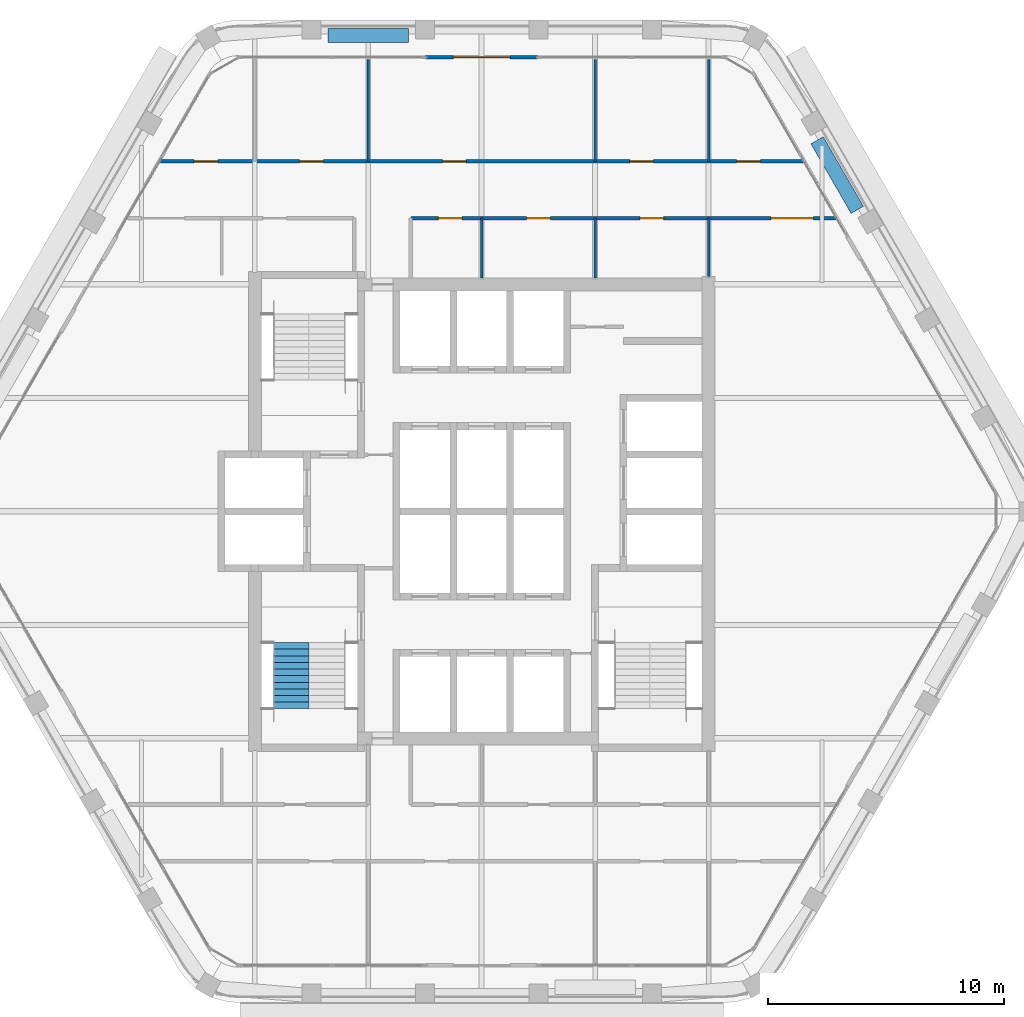
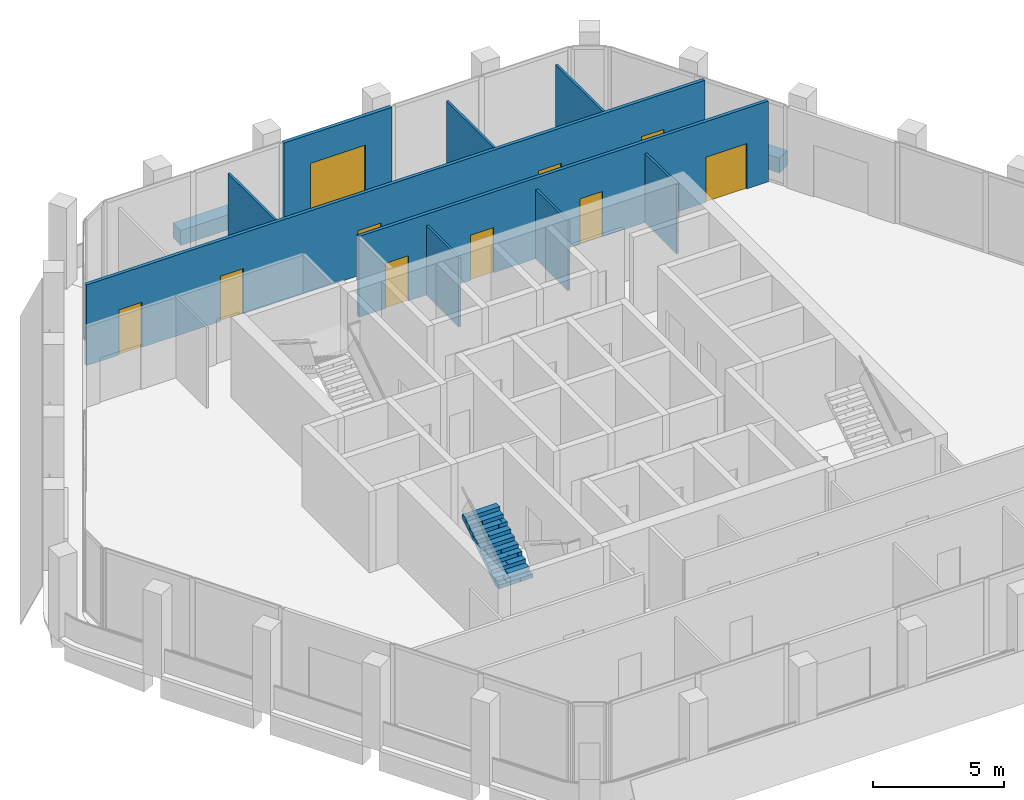
# One storey, part 10 of 14: 11 walls, 10 doors, 1 stair flight, 10 openings, 1 element without a shape of its own.
"""IFC4 building model written with IfcOpenShell, lengths in metres."""

from ifc_helpers import new_model, si_unit, direction, frame, frame_2d, origin, place, context, subcontext, project, spatial, polyline, rectangle, outline, extrude, material, layer, layer_set, type_object, element, fill, aggregate, save


model = new_model("IFC4")

# Units and contexts
model_context = context("Model", 3, precision=1e-05, world=origin(), true_north=direction((0.0, 1.0)))
body_context = subcontext(model_context, "Body", "Model", "MODEL_VIEW")
ifc_project = project(units=[si_unit("LENGTHUNIT", "METRE"), si_unit("AREAUNIT", "SQUARE_METRE"), si_unit("VOLUMEUNIT", "CUBIC_METRE"), si_unit("PLANEANGLEUNIT", "RADIAN"), si_unit("MASSUNIT", "GRAM", prefix="KILO")], contexts=[model_context])

# Site, building, storey
site_placement = place(None, origin())
site = spatial("IfcSite", under=ifc_project, at=site_placement, CompositionType="ELEMENT")
building_placement = place(site_placement, origin())
building = spatial("IfcBuilding", under=site, at=building_placement, Name="Kolab Exchange Tower", CompositionType="ELEMENT")
storey_placement = place(building_placement, frame((0.0, 0.0, 246.199951171875)))
storey = spatial("IfcBuildingStorey", under=building, at=storey_placement, Name="L54", CompositionType="ELEMENT", Elevation=246.199951171875)

# Wall, opening, door
ifc_material_1 = material(Name="Aluminium EN AW-6063 T6", Category="aluminium")
ifc_layer_1 = layer(ifc_material_1, 0.159912109375)
ifc_layer_set_1 = layer_set([ifc_layer_1], Name="Aluminium EN AW-6063 T6")
wall_type_1 = type_object("IfcWallType", Name="DOOR SURROUND WALL 160 ALUMINIUM FRAMED", PredefinedType="PARTITIONING", material=ifc_layer_set_1)
wall_1_placement = place(storey_placement, frame((-2.3701171875, 19.20458984375, 0.0), z_axis=(0.0, 0.0, 1.0), x_axis=(1.0, 0.0, 0.0)))
wall_1 = element("IfcWall", 1, at=wall_1_placement, inside=storey, type_object=wall_type_1, Name="Door surround wall", PredefinedType="PARTITIONING", context=body_context, shape_type="SweptSolid", body=[
    extrude(rectangle(XDim=4.740234375, YDim=0.159912109375, at=frame_2d((2.3701171875, 0.0))), origin(), (0.0, 0.0, 1.0), 3.75),
])
opening_1_placement = place(wall_1_placement, frame((1.169921875, 0.0, 0.0)))
opening_1 = element("IfcOpeningElement", 2, at=opening_1_placement, cuts=wall_1, Name="Opening GD1-089", PredefinedType="OPENING", context=body_context, shape_type="SweptSolid", body=[
    extrude(rectangle(XDim=2.39990234375, YDim=2.39990234375, at=frame_2d((1.199951171875, 1.199951171875))), frame((0.0, 0.08984375, 0.0), z_axis=(0.0, -1.0, 0.0), x_axis=(1.0, 0.0, 0.0)), (0.0, 0.0, 1.0), 0.179931640625),
])
door_type_1 = type_object("IfcDoorType", Name="LOGGIA SLIDING GLASS DOOR 2400 X 2400", OperationType="DOUBLE_DOOR_SINGLE_SWING", PredefinedType="DOOR", material=ifc_material_1)
door_1_placement = place(opening_1_placement, origin())
door_1 = element("IfcDoor", 3, at=door_1_placement, inside=storey, type_object=door_type_1, Name="Loggia door", OperationType="DOUBLE_DOOR_SLIDING", OverallHeight=2.39990234375, OverallWidth=2.39990234375, PredefinedType="DOOR", context=body_context, shape_type="SweptSolid", body=[
    extrude(rectangle(XDim=2.39990234375, YDim=2.39990234375, at=frame_2d((1.199951171875, 1.199951171875))), frame((0.0, 0.02490234375, 0.0), z_axis=(0.0, -1.0, 0.0), x_axis=(1.0, 0.0, 0.0)), (0.0, 0.0, 1.0), 0.050048828125),
])
fill(opening_1, door_1)

# Walls
ifc_material_2 = material(Name="Gypsum board", Category="gypsum")
ifc_layer_2 = layer(ifc_material_2, 0.10009765625)
ifc_layer_set_2 = layer_set([ifc_layer_2], Name="Gypsum board")
wall_type_2 = type_object("IfcWallType", Name="PARTITION 100", PredefinedType="PARTITIONING", material=ifc_layer_set_2)
wall_2_placement = place(storey_placement, frame((9.60009765625, 9.925048828125, 0.0), z_axis=(0.0, 0.0, 1.0), x_axis=(0.0, 1.0, 0.0)))
element("IfcWall", 4, at=wall_2_placement, inside=storey, type_object=wall_type_2, Name="Partition 002", PredefinedType="PARTITIONING", context=body_context, shape_type="SweptSolid", body=[
    extrude(rectangle(XDim=2.474853515625, YDim=0.10009765625, at=frame_2d((1.2373046875, 0.0))), origin(), (0.0, 0.0, 1.0), 3.217041015625),
])
wall_3_placement = place(storey_placement, frame((9.60009765625, 14.800048828125, 0.0), z_axis=(0.0, 0.0, 1.0), x_axis=(0.0, 1.0, 0.0)))
element("IfcWall", 5, at=wall_3_placement, inside=storey, type_object=wall_type_2, Name="Partition 003", PredefinedType="PARTITIONING", context=body_context, shape_type="SweptSolid", body=[
    extrude(rectangle(XDim=4.314453125, YDim=0.10009765625, at=frame_2d((2.1572265625, 0.0))), origin(), (0.0, 0.0, 1.0), 3.217041015625),
])
wall_4_placement = place(storey_placement, frame((4.800048828125, 9.875, 0.0), z_axis=(0.0, 0.0, 1.0), x_axis=(0.0, 1.0, 0.0)))
element("IfcWall", 6, at=wall_4_placement, inside=storey, type_object=wall_type_2, Name="Partition 006", PredefinedType="PARTITIONING", context=body_context, shape_type="SweptSolid", body=[
    extrude(rectangle(XDim=2.52490234375, YDim=0.10009765625, at=frame_2d((1.262451171875, 0.0))), origin(), (0.0, 0.0, 1.0), 3.217041015625),
])
wall_5_placement = place(storey_placement, frame((4.800048828125, 14.800048828125, 0.0), z_axis=(0.0, 0.0, 1.0), x_axis=(0.0, 1.0, 0.0)))
element("IfcWall", 7, at=wall_5_placement, inside=storey, type_object=wall_type_2, Name="Partition 007", PredefinedType="PARTITIONING", context=body_context, shape_type="SweptSolid", body=[
    extrude(rectangle(XDim=4.314453125, YDim=0.10009765625, at=frame_2d((2.1572265625, 0.0))), origin(), (0.0, 0.0, 1.0), 3.217041015625),
])
wall_6_placement = place(storey_placement, frame((0.0, 9.875, 0.0), z_axis=(0.0, 0.0, 1.0), x_axis=(0.0, 1.0, 0.0)))
element("IfcWall", 8, at=wall_6_placement, inside=storey, type_object=wall_type_2, Name="Partition 009", PredefinedType="PARTITIONING", context=body_context, shape_type="SweptSolid", body=[
    extrude(rectangle(XDim=2.52490234375, YDim=0.10009765625, at=frame_2d((1.262451171875, 0.0))), origin(), (0.0, 0.0, 1.0), 3.217041015625),
])
wall_7_placement = place(storey_placement, frame((-4.800048828125, 14.800048828125, 0.0), z_axis=(0.0, 0.0, 1.0), x_axis=(0.0, 1.0, 0.0)))
element("IfcWall", 9, at=wall_7_placement, inside=storey, type_object=wall_type_2, Name="Partition 013", PredefinedType="PARTITIONING", context=body_context, shape_type="SweptSolid", body=[
    extrude(rectangle(XDim=4.314453125, YDim=0.10009765625, at=frame_2d((2.1572265625, 0.0))), origin(), (0.0, 0.0, 1.0), 3.217041015625),
])

# Wall, openings, doors
ifc_layer_3 = layer(ifc_material_2, 0.14990234375)
ifc_layer_set_3 = layer_set([ifc_layer_3], Name="Gypsum board")
wall_type_3 = type_object("IfcWallType", Name="PARTITION 150 FIRE-RATED", PredefinedType="PARTITIONING", material=ifc_layer_set_3)
wall_8_placement = place(storey_placement, frame((-3.0, 12.39990234375, 0.0), z_axis=(0.0, 0.0, 1.0), x_axis=(1.0, 0.0, 0.0)))
wall_8 = element("IfcWall", 10, at=wall_8_placement, inside=storey, type_object=wall_type_3, Name="Partition 025", PredefinedType="PARTITIONING", context=body_context, shape_type="SweptSolid", body=[
    extrude(rectangle(XDim=17.97021484375, YDim=0.14990234375, at=frame_2d((8.985107421875, 0.0))), origin(), (0.0, 0.0, 1.0), 3.75),
])
opening_2_placement = place(wall_8_placement, frame((1.1650390625, 0.0, 0.0)))
opening_2 = element("IfcOpeningElement", 11, at=opening_2_placement, cuts=wall_8, Name="Opening D1-671", PredefinedType="OPENING", context=body_context, shape_type="SweptSolid", body=[
    extrude(rectangle(XDim=1.0, YDim=2.10009765625, at=frame_2d((0.5, 1.050048828125))), frame((0.0, 0.0849609375, 0.0), z_axis=(0.0, -1.0, 0.0), x_axis=(1.0, 0.0, 0.0)), (0.0, 0.0, 1.0), 0.169921875),
])
opening_3_placement = place(wall_8_placement, frame((4.89990234375, 0.0, 0.0)))
opening_3 = element("IfcOpeningElement", 12, at=opening_3_placement, cuts=wall_8, Name="Opening D1-672", PredefinedType="OPENING", context=body_context, shape_type="SweptSolid", body=[
    extrude(rectangle(XDim=1.0, YDim=2.10009765625, at=frame_2d((0.5, 1.050048828125))), frame((0.0, 0.0849609375, 0.0), z_axis=(0.0, -1.0, 0.0), x_axis=(1.0, 0.0, 0.0)), (0.0, 0.0, 1.0), 0.169921875),
])
opening_4_placement = place(wall_8_placement, frame((9.699951171875, 0.0, 0.0)))
opening_4 = element("IfcOpeningElement", 13, at=opening_4_placement, cuts=wall_8, Name="Opening D1-673", PredefinedType="OPENING", context=body_context, shape_type="SweptSolid", body=[
    extrude(rectangle(XDim=1.0, YDim=2.10009765625, at=frame_2d((0.5, 1.050048828125))), frame((0.0, 0.0849609375, 0.0), z_axis=(0.0, -1.0, 0.0), x_axis=(1.0, 0.0, 0.0)), (0.0, 0.0, 1.0), 0.169921875),
])
opening_5_placement = place(wall_8_placement, frame((15.231689453125, 0.0, 0.0)))
opening_5 = element("IfcOpeningElement", 14, at=opening_5_placement, cuts=wall_8, Name="Opening D2-069", PredefinedType="OPENING", context=body_context, shape_type="SweptSolid", body=[
    extrude(rectangle(XDim=1.800048828125, YDim=2.10009765625, at=frame_2d((0.89990234375, 1.050048828125))), frame((0.0, 0.0849609375, 0.0), z_axis=(0.0, -1.0, 0.0), x_axis=(1.0, 0.0, 0.0)), (0.0, 0.0, 1.0), 0.169921875),
])
ifc_material_3 = material(Name="Steel S235", Category="steel")
door_type_2 = type_object("IfcDoorType", Name="DOUBLE DOOR 1800 FD60", OperationType="DOUBLE_DOOR_SINGLE_SWING", PredefinedType="DOOR", material=ifc_material_3)
door_2_placement = place(opening_5_placement, frame((1.800048828125, 0.0, 0.0), z_axis=(0.0, 0.0, 1.0), x_axis=(-1.0, 0.0, 0.0)))
door_2 = element("IfcDoor", 15, at=door_2_placement, inside=storey, type_object=door_type_2, Name="Door L54-048", OperationType="SINGLE_SWING_RIGHT", OverallHeight=2.10009765625, OverallWidth=1.800048828125, PredefinedType="DOOR", context=body_context, shape_type="SweptSolid", body=[
    extrude(rectangle(XDim=1.800048828125, YDim=2.10009765625, at=frame_2d((0.89990234375, 1.050048828125))), frame((0.0, 0.02490234375, 0.0), z_axis=(0.0, -1.0, 0.0), x_axis=(1.0, 0.0, 0.0)), (0.0, 0.0, 1.0), 0.050048828125),
])
fill(opening_5, door_2)
door_type_3 = type_object("IfcDoorType", Name="FLUSH DOOR 1000 FD60", OperationType="SINGLE_SWING_LEFT", PredefinedType="DOOR", material=ifc_material_3)
door_3_placement = place(opening_2_placement, frame((1.0, 0.0, 0.0), z_axis=(0.0, 0.0, 1.0), x_axis=(-1.0, 0.0, 0.0)))
door_3 = element("IfcDoor", 16, at=door_3_placement, inside=storey, type_object=door_type_3, Name="Door L54-031", OperationType="SINGLE_SWING_RIGHT", OverallHeight=2.10009765625, OverallWidth=1.0, PredefinedType="DOOR", context=body_context, shape_type="SweptSolid", body=[
    extrude(rectangle(XDim=1.0, YDim=2.10009765625, at=frame_2d((0.5, 1.050048828125))), frame((0.0, 0.02490234375, 0.0), z_axis=(0.0, -1.0, 0.0), x_axis=(1.0, 0.0, 0.0)), (0.0, 0.0, 1.0), 0.050048828125),
])
fill(opening_2, door_3)
door_4_placement = place(opening_3_placement, frame((1.0, 0.0, 0.0), z_axis=(0.0, 0.0, 1.0), x_axis=(-1.0, 0.0, 0.0)))
door_4 = element("IfcDoor", 17, at=door_4_placement, inside=storey, type_object=door_type_3, Name="Door L54-032", OperationType="SINGLE_SWING_RIGHT", OverallHeight=2.10009765625, OverallWidth=1.0, PredefinedType="DOOR", context=body_context, shape_type="SweptSolid", body=[
    extrude(rectangle(XDim=1.0, YDim=2.10009765625, at=frame_2d((0.5, 1.050048828125))), frame((0.0, 0.02490234375, 0.0), z_axis=(0.0, -1.0, 0.0), x_axis=(1.0, 0.0, 0.0)), (0.0, 0.0, 1.0), 0.050048828125),
])
fill(opening_3, door_4)
door_5_placement = place(opening_4_placement, frame((1.0, 0.0, 0.0), z_axis=(0.0, 0.0, 1.0), x_axis=(-1.0, 0.0, 0.0)))
door_5 = element("IfcDoor", 18, at=door_5_placement, inside=storey, type_object=door_type_3, Name="Door L54-033", OperationType="SINGLE_SWING_LEFT", OverallHeight=2.10009765625, OverallWidth=1.0, PredefinedType="DOOR", context=body_context, shape_type="SweptSolid", body=[
    extrude(rectangle(XDim=1.0, YDim=2.10009765625, at=frame_2d((0.5, 1.050048828125))), frame((0.0, 0.02490234375, 0.0), z_axis=(0.0, -1.0, 0.0), x_axis=(1.0, 0.0, 0.0)), (0.0, 0.0, 1.0), 0.050048828125),
])
fill(opening_4, door_5)

wall_9_placement = place(storey_placement, frame((-13.584716796875, 14.800048828125, 0.0), z_axis=(0.0, 0.0, 1.0), x_axis=(1.0, 0.0, 0.0)))
wall_9 = element("IfcWall", 19, at=wall_9_placement, inside=storey, type_object=wall_type_3, Name="Partition 026", PredefinedType="PARTITIONING", context=body_context, shape_type="SweptSolid", body=[
    extrude(rectangle(XDim=27.16943359375, YDim=0.14990234375, at=frame_2d((13.584716796875, 0.0))), origin(), (0.0, 0.0, 1.0), 3.75),
])
opening_6_placement = place(wall_9_placement, frame((1.423095703125, 0.0, 0.0)))
opening_6 = element("IfcOpeningElement", 20, at=opening_6_placement, cuts=wall_9, Name="Opening D1-677", PredefinedType="OPENING", context=body_context, shape_type="SweptSolid", body=[
    extrude(rectangle(XDim=1.0, YDim=2.10009765625, at=frame_2d((0.5, 1.050048828125))), frame((0.0, 0.0849609375, 0.0), z_axis=(0.0, -1.0, 0.0), x_axis=(1.0, 0.0, 0.0)), (0.0, 0.0, 1.0), 0.169921875),
])
opening_7_placement = place(wall_9_placement, frame((5.884521484375, 0.0, 0.0)))
opening_7 = element("IfcOpeningElement", 21, at=opening_7_placement, cuts=wall_9, Name="Opening D1-678", PredefinedType="OPENING", context=body_context, shape_type="SweptSolid", body=[
    extrude(rectangle(XDim=1.0, YDim=2.10009765625, at=frame_2d((0.5, 1.050048828125))), frame((0.0, 0.0849609375, 0.0), z_axis=(0.0, -1.0, 0.0), x_axis=(1.0, 0.0, 0.0)), (0.0, 0.0, 1.0), 0.169921875),
])
opening_8_placement = place(wall_9_placement, frame((11.9296875, 0.0, 0.0)))
opening_8 = element("IfcOpeningElement", 22, at=opening_8_placement, cuts=wall_9, Name="Opening D1-679", PredefinedType="OPENING", context=body_context, shape_type="SweptSolid", body=[
    extrude(rectangle(XDim=1.0, YDim=2.10009765625, at=frame_2d((0.5, 1.050048828125))), frame((0.0, 0.0849609375, 0.0), z_axis=(0.0, -1.0, 0.0), x_axis=(1.0, 0.0, 0.0)), (0.0, 0.0, 1.0), 0.169921875),
])
opening_9_placement = place(wall_9_placement, frame((19.849609375, 0.0, 0.0)))
opening_9 = element("IfcOpeningElement", 23, at=opening_9_placement, cuts=wall_9, Name="Opening D1-680", PredefinedType="OPENING", context=body_context, shape_type="SweptSolid", body=[
    extrude(rectangle(XDim=1.0, YDim=2.10009765625, at=frame_2d((0.5, 1.050048828125))), frame((0.0, 0.0849609375, 0.0), z_axis=(0.0, -1.0, 0.0), x_axis=(1.0, 0.0, 0.0)), (0.0, 0.0, 1.0), 0.169921875),
])
opening_10_placement = place(wall_9_placement, frame((24.36767578125, 0.0, 0.0)))
opening_10 = element("IfcOpeningElement", 24, at=opening_10_placement, cuts=wall_9, Name="Opening D1-681", PredefinedType="OPENING", context=body_context, shape_type="SweptSolid", body=[
    extrude(rectangle(XDim=1.0, YDim=2.10009765625, at=frame_2d((0.5, 1.050048828125))), frame((0.0, 0.0849609375, 0.0), z_axis=(0.0, -1.0, 0.0), x_axis=(1.0, 0.0, 0.0)), (0.0, 0.0, 1.0), 0.169921875),
])
door_6_placement = place(opening_6_placement, origin())
door_6 = element("IfcDoor", 25, at=door_6_placement, inside=storey, type_object=door_type_3, Name="Door L54-039", OperationType="SINGLE_SWING_LEFT", OverallHeight=2.10009765625, OverallWidth=1.0, PredefinedType="DOOR", context=body_context, shape_type="SweptSolid", body=[
    extrude(rectangle(XDim=1.0, YDim=2.10009765625, at=frame_2d((0.5, 1.050048828125))), frame((0.0, 0.02490234375, 0.0), z_axis=(0.0, -1.0, 0.0), x_axis=(1.0, 0.0, 0.0)), (0.0, 0.0, 1.0), 0.050048828125),
])
fill(opening_6, door_6)
door_7_placement = place(opening_7_placement, origin())
door_7 = element("IfcDoor", 26, at=door_7_placement, inside=storey, type_object=door_type_3, Name="Door L54-040", OperationType="SINGLE_SWING_LEFT", OverallHeight=2.10009765625, OverallWidth=1.0, PredefinedType="DOOR", context=body_context, shape_type="SweptSolid", body=[
    extrude(rectangle(XDim=1.0, YDim=2.10009765625, at=frame_2d((0.5, 1.050048828125))), frame((0.0, 0.02490234375, 0.0), z_axis=(0.0, -1.0, 0.0), x_axis=(1.0, 0.0, 0.0)), (0.0, 0.0, 1.0), 0.050048828125),
])
fill(opening_7, door_7)
door_8_placement = place(opening_8_placement, origin())
door_8 = element("IfcDoor", 27, at=door_8_placement, inside=storey, type_object=door_type_3, Name="Door L54-041", OperationType="SINGLE_SWING_LEFT", OverallHeight=2.10009765625, OverallWidth=1.0, PredefinedType="DOOR", context=body_context, shape_type="SweptSolid", body=[
    extrude(rectangle(XDim=1.0, YDim=2.10009765625, at=frame_2d((0.5, 1.050048828125))), frame((0.0, 0.02490234375, 0.0), z_axis=(0.0, -1.0, 0.0), x_axis=(1.0, 0.0, 0.0)), (0.0, 0.0, 1.0), 0.050048828125),
])
fill(opening_8, door_8)
door_9_placement = place(opening_9_placement, origin())
door_9 = element("IfcDoor", 28, at=door_9_placement, inside=storey, type_object=door_type_3, Name="Door L54-042", OperationType="SINGLE_SWING_LEFT", OverallHeight=2.10009765625, OverallWidth=1.0, PredefinedType="DOOR", context=body_context, shape_type="SweptSolid", body=[
    extrude(rectangle(XDim=1.0, YDim=2.10009765625, at=frame_2d((0.5, 1.050048828125))), frame((0.0, 0.02490234375, 0.0), z_axis=(0.0, -1.0, 0.0), x_axis=(1.0, 0.0, 0.0)), (0.0, 0.0, 1.0), 0.050048828125),
])
fill(opening_9, door_9)
door_10_placement = place(opening_10_placement, origin())
door_10 = element("IfcDoor", 29, at=door_10_placement, inside=storey, type_object=door_type_3, Name="Door L54-043", OperationType="SINGLE_SWING_LEFT", OverallHeight=2.10009765625, OverallWidth=1.0, PredefinedType="DOOR", context=body_context, shape_type="SweptSolid", body=[
    extrude(rectangle(XDim=1.0, YDim=2.10009765625, at=frame_2d((0.5, 1.050048828125))), frame((0.0, 0.02490234375, 0.0), z_axis=(0.0, -1.0, 0.0), x_axis=(1.0, 0.0, 0.0)), (0.0, 0.0, 1.0), 0.050048828125),
])
fill(opening_10, door_10)

# Walls
ifc_material_4 = material(Name="Granite facing", Category="masonry")
ifc_layer_4 = layer(ifc_material_4, 0.0400390625)
ifc_material_5 = material(Name="Concrete C40/50 precast", Category="concrete")
ifc_layer_5 = layer(ifc_material_5, 0.56005859375)
ifc_layer_set_4 = layer_set([ifc_layer_4, ifc_layer_5], Name="Concrete C40/50 precast")
wall_type_4 = type_object("IfcWallType", Name="PLANTER BOX 600 X 700 SOIL DEPTH 550", PredefinedType="USERDEFINED", material=ifc_layer_set_4)
wall_10_placement = place(storey_placement, frame((-6.5, 20.134521484375, 0.0), z_axis=(0.0, 0.0, 1.0), x_axis=(1.0, 0.0, 0.0)))
element("IfcWall", 30, at=wall_10_placement, inside=storey, type_object=wall_type_4, Name="Planter", ObjectType="PLANTER", PredefinedType="USERDEFINED", context=body_context, shape_type="SweptSolid", body=[
    extrude(rectangle(XDim=3.39990234375, YDim=0.60009765625, at=frame_2d((1.699951171875, 0.0))), origin(), (0.0, 0.0, 1.0), 0.699951171875),
])
wall_11_placement = place(storey_placement, frame((14.18701171875, 15.696533203125, 0.0), z_axis=(0.0, 0.0, 1.0), x_axis=(0.499977295307, -0.866038511948, 0.0)))
element("IfcWall", 31, at=wall_11_placement, inside=storey, type_object=wall_type_4, Name="Planter", ObjectType="PLANTER", PredefinedType="USERDEFINED", context=body_context, shape_type="SweptSolid", body=[
    extrude(rectangle(XDim=3.400146484375, YDim=0.60009765625, at=frame_2d((1.7001953125, 0.0))), origin(), (0.0, 0.0, 1.0), 0.699951171875),
])

# Stair, stair flight
ifc_material_6 = material(Name="Concrete C50/60", Category="concrete")
stair_type = type_object("IfcStairType", Name="STAIR ST3 RISER 177.3", PredefinedType="HALF_TURN_STAIR", material=ifc_material_6)
stair_placement = place(storey_placement, origin())
stair = element("IfcStair", 32, at=stair_placement, inside=storey, type_object=stair_type, Name="Stair 3", PredefinedType="HALF_TURN_STAIR")
stair_flight_type = type_object("IfcStairFlightType", Name="STAIR FLIGHT 1500 RISER 177.3", PredefinedType="STRAIGHT", material=ifc_material_6)
stair_flight_placement = place(storey_placement, frame((-8.047607421875, -8.35009765625, 1.949951171875), z_axis=(0.0, 0.0, 1.0), x_axis=(0.0, 1.0, 0.0)))
stair_flight = element("IfcStairFlight", 33, at=stair_flight_placement, type_object=stair_flight_type, Name="ST3 flight 2", NumberOfRisers=11, NumberOfTreads=10, PredefinedType="STRAIGHT", RiserHeight=0.177272727, TreadLength=0.28, context=body_context, shape_type="SweptSolid", body=[
    extrude(outline(polyline([(0.0, 0.0), (0.0, 0.17724609375), (0.280029296875, 0.17724609375), (0.280029296875, 0.3544921875), (0.56005859375, 0.3544921875), (0.56005859375, 0.53173828125), (0.840087890625, 0.53173828125), (0.840087890625, 0.708984375), (1.1201171875, 0.708984375), (1.1201171875, 0.886474609375), (1.39990234375, 0.886474609375), (1.39990234375, 1.063720703125), (1.679931640625, 1.063720703125), (1.679931640625, 1.240966796875), (1.9599609375, 1.240966796875), (1.9599609375, 1.418212890625), (2.239990234375, 1.418212890625), (2.239990234375, 1.595458984375), (2.52001953125, 1.595458984375), (2.52001953125, 1.772705078125), (2.800048828125, 1.772705078125), (2.800048828125, 1.949951171875), (2.800048828125, 1.59521484375), (0.2802734375, 0.0), (0.0, 0.0)])), frame((0.0, 0.75, 0.0), z_axis=(0.0, -1.0, 0.0), x_axis=(1.0, 0.0, 0.0)), (0.0, 0.0, 1.0), 0.185791015625),
    extrude(outline(polyline([(0.0, 0.0), (0.0, 0.17724609375), (0.280029296875, 0.17724609375), (0.280029296875, 0.3544921875), (0.56005859375, 0.3544921875), (0.56005859375, 0.53173828125), (0.840087890625, 0.53173828125), (0.840087890625, 0.708984375), (1.1201171875, 0.708984375), (1.1201171875, 0.886474609375), (1.39990234375, 0.886474609375), (1.39990234375, 1.063720703125), (1.679931640625, 1.063720703125), (1.679931640625, 1.240966796875), (1.9599609375, 1.240966796875), (1.9599609375, 1.418212890625), (2.239990234375, 1.418212890625), (2.239990234375, 1.595458984375), (2.52001953125, 1.595458984375), (2.52001953125, 1.772705078125), (2.800048828125, 1.772705078125), (2.800048828125, 1.949951171875), (2.800048828125, 1.59521484375), (0.2802734375, 0.0), (0.0, 0.0)])), frame((0.0, 0.562255859375, 0.0), z_axis=(0.0, -1.0, 0.0), x_axis=(1.0, 0.0, 0.0)), (0.0, 0.0, 1.0), 0.185791015625),
    extrude(outline(polyline([(0.0, 0.0), (0.0, 0.17724609375), (0.280029296875, 0.17724609375), (0.280029296875, 0.3544921875), (0.56005859375, 0.3544921875), (0.56005859375, 0.53173828125), (0.840087890625, 0.53173828125), (0.840087890625, 0.708984375), (1.1201171875, 0.708984375), (1.1201171875, 0.886474609375), (1.39990234375, 0.886474609375), (1.39990234375, 1.063720703125), (1.679931640625, 1.063720703125), (1.679931640625, 1.240966796875), (1.9599609375, 1.240966796875), (1.9599609375, 1.418212890625), (2.239990234375, 1.418212890625), (2.239990234375, 1.595458984375), (2.52001953125, 1.595458984375), (2.52001953125, 1.772705078125), (2.800048828125, 1.772705078125), (2.800048828125, 1.949951171875), (2.800048828125, 1.59521484375), (0.2802734375, 0.0), (0.0, 0.0)])), frame((0.0, 0.37451171875, 0.0), z_axis=(0.0, -1.0, 0.0), x_axis=(1.0, 0.0, 0.0)), (0.0, 0.0, 1.0), 0.185791015625),
    extrude(outline(polyline([(0.0, 0.0), (0.0, 0.17724609375), (0.280029296875, 0.17724609375), (0.280029296875, 0.3544921875), (0.56005859375, 0.3544921875), (0.56005859375, 0.53173828125), (0.840087890625, 0.53173828125), (0.840087890625, 0.708984375), (1.1201171875, 0.708984375), (1.1201171875, 0.886474609375), (1.39990234375, 0.886474609375), (1.39990234375, 1.063720703125), (1.679931640625, 1.063720703125), (1.679931640625, 1.240966796875), (1.9599609375, 1.240966796875), (1.9599609375, 1.418212890625), (2.239990234375, 1.418212890625), (2.239990234375, 1.595458984375), (2.52001953125, 1.595458984375), (2.52001953125, 1.772705078125), (2.800048828125, 1.772705078125), (2.800048828125, 1.949951171875), (2.800048828125, 1.59521484375), (0.2802734375, 0.0), (0.0, 0.0)])), frame((0.0, 0.186767578125, 0.0), z_axis=(0.0, -1.0, 0.0), x_axis=(1.0, 0.0, 0.0)), (0.0, 0.0, 1.0), 0.185791015625),
    extrude(outline(polyline([(0.0, 0.0), (0.0, 0.17724609375), (0.280029296875, 0.17724609375), (0.280029296875, 0.3544921875), (0.56005859375, 0.3544921875), (0.56005859375, 0.53173828125), (0.840087890625, 0.53173828125), (0.840087890625, 0.708984375), (1.1201171875, 0.708984375), (1.1201171875, 0.886474609375), (1.39990234375, 0.886474609375), (1.39990234375, 1.063720703125), (1.679931640625, 1.063720703125), (1.679931640625, 1.240966796875), (1.9599609375, 1.240966796875), (1.9599609375, 1.418212890625), (2.239990234375, 1.418212890625), (2.239990234375, 1.595458984375), (2.52001953125, 1.595458984375), (2.52001953125, 1.772705078125), (2.800048828125, 1.772705078125), (2.800048828125, 1.949951171875), (2.800048828125, 1.59521484375), (0.2802734375, 0.0), (0.0, 0.0)])), frame((0.0, -0.0009765625, 0.0), z_axis=(0.0, -1.0, 0.0), x_axis=(1.0, 0.0, 0.0)), (0.0, 0.0, 1.0), 0.185791015625),
    extrude(outline(polyline([(0.0, 0.0), (0.0, 0.17724609375), (0.280029296875, 0.17724609375), (0.280029296875, 0.3544921875), (0.56005859375, 0.3544921875), (0.56005859375, 0.53173828125), (0.840087890625, 0.53173828125), (0.840087890625, 0.708984375), (1.1201171875, 0.708984375), (1.1201171875, 0.886474609375), (1.39990234375, 0.886474609375), (1.39990234375, 1.063720703125), (1.679931640625, 1.063720703125), (1.679931640625, 1.240966796875), (1.9599609375, 1.240966796875), (1.9599609375, 1.418212890625), (2.239990234375, 1.418212890625), (2.239990234375, 1.595458984375), (2.52001953125, 1.595458984375), (2.52001953125, 1.772705078125), (2.800048828125, 1.772705078125), (2.800048828125, 1.949951171875), (2.800048828125, 1.59521484375), (0.2802734375, 0.0), (0.0, 0.0)])), frame((0.0, -0.188720703125, 0.0), z_axis=(0.0, -1.0, 0.0), x_axis=(1.0, 0.0, 0.0)), (0.0, 0.0, 1.0), 0.185791015625),
    extrude(outline(polyline([(0.0, 0.0), (0.0, 0.17724609375), (0.280029296875, 0.17724609375), (0.280029296875, 0.3544921875), (0.56005859375, 0.3544921875), (0.56005859375, 0.53173828125), (0.840087890625, 0.53173828125), (0.840087890625, 0.708984375), (1.1201171875, 0.708984375), (1.1201171875, 0.886474609375), (1.39990234375, 0.886474609375), (1.39990234375, 1.063720703125), (1.679931640625, 1.063720703125), (1.679931640625, 1.240966796875), (1.9599609375, 1.240966796875), (1.9599609375, 1.418212890625), (2.239990234375, 1.418212890625), (2.239990234375, 1.595458984375), (2.52001953125, 1.595458984375), (2.52001953125, 1.772705078125), (2.800048828125, 1.772705078125), (2.800048828125, 1.949951171875), (2.800048828125, 1.59521484375), (0.2802734375, 0.0), (0.0, 0.0)])), frame((0.0, -0.37646484375, 0.0), z_axis=(0.0, -1.0, 0.0), x_axis=(1.0, 0.0, 0.0)), (0.0, 0.0, 1.0), 0.185791015625),
    extrude(outline(polyline([(0.0, 0.0), (0.0, 0.17724609375), (0.280029296875, 0.17724609375), (0.280029296875, 0.3544921875), (0.56005859375, 0.3544921875), (0.56005859375, 0.53173828125), (0.840087890625, 0.53173828125), (0.840087890625, 0.708984375), (1.1201171875, 0.708984375), (1.1201171875, 0.886474609375), (1.39990234375, 0.886474609375), (1.39990234375, 1.063720703125), (1.679931640625, 1.063720703125), (1.679931640625, 1.240966796875), (1.9599609375, 1.240966796875), (1.9599609375, 1.418212890625), (2.239990234375, 1.418212890625), (2.239990234375, 1.595458984375), (2.52001953125, 1.595458984375), (2.52001953125, 1.772705078125), (2.800048828125, 1.772705078125), (2.800048828125, 1.949951171875), (2.800048828125, 1.59521484375), (0.2802734375, 0.0), (0.0, 0.0)])), frame((0.0, -0.564208984375, 0.0), z_axis=(0.0, -1.0, 0.0), x_axis=(1.0, 0.0, 0.0)), (0.0, 0.0, 1.0), 0.185791015625),
])
aggregate(stair, [stair_flight])

save(model, "model.ifc")
